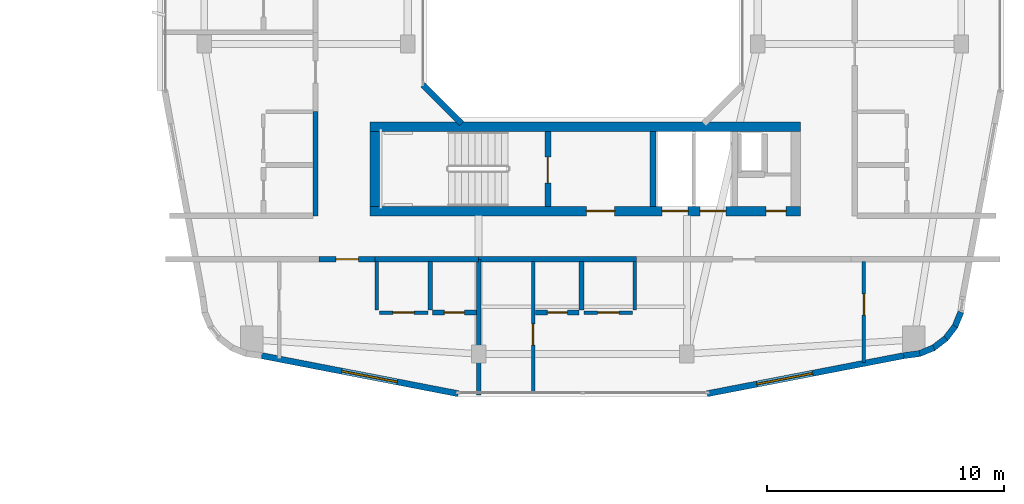
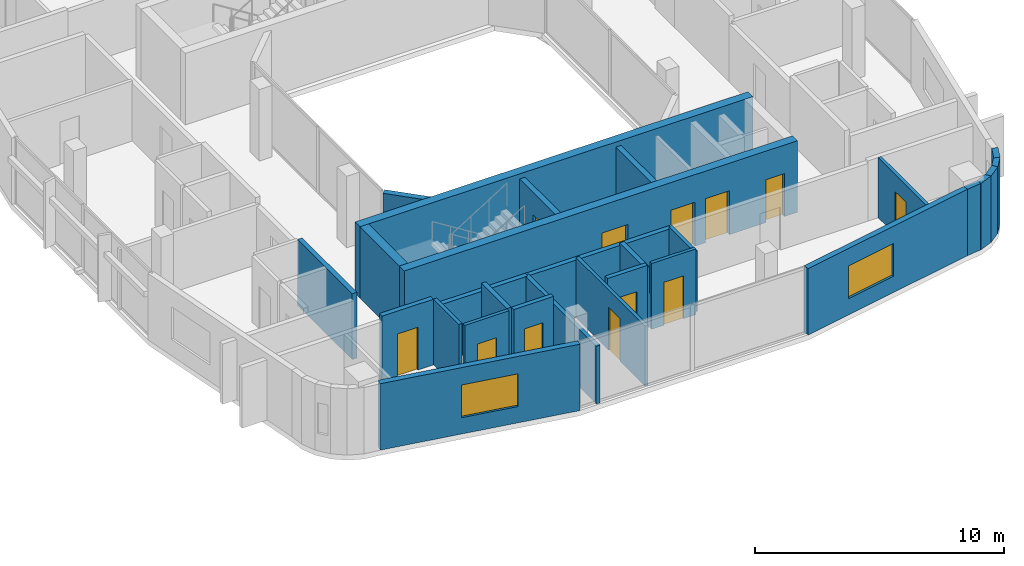
# One storey, part 17 of 26: 28 walls, 12 doors, 2 windows, 14 openings.
"""IFC4 building model written with IfcOpenShell, lengths in metres."""

import ifcopenshell
import ifcopenshell.guid

model = None  # the IFC model being written
_history = None  # IfcOwnerHistory: only IFC2X3 demands one
_inside = {}  # id of a spatial element -> (the spatial element, [elements in it])
_under = {}  # id of a project, library or spatial element -> (it, [spatial elements below it])
_declared = {}  # id of a project -> (the project, [libraries it declares])
_typed = {}  # id of a type object -> (the type object, [elements of that type])
_made_of = {}  # id of a material, layer set ... -> (it, [elements and type objects made of it])


def new_model(schema):
    """Start an empty IFC model of exactly this schema.

    Asked for "IFC4X3", IfcOpenShell would pick the latest addendum, in which some entities
    have other attributes; the version numbers below select the first issue.
    IFC2X3 requires an IfcOwnerHistory on every rooted entity: one is made here for all.
    """
    global model, _history
    if schema == "IFC4X3":
        model = ifcopenshell.file(schema_version=(4, 3, 0, 0))
    else:
        model = ifcopenshell.file(schema=schema)
    _inside.clear()
    _under.clear()
    _declared.clear()
    _typed.clear()
    _made_of.clear()
    _history = None
    if model.schema == "IFC2X3":
        org = make("IfcOrganization", Name="unknown")
        user = make(
            "IfcPersonAndOrganization",
            ThePerson=make("IfcPerson", FamilyName="unknown"),
            TheOrganization=org,
        )
        app = make(
            "IfcApplication",
            ApplicationDeveloper=org,
            Version="unknown",
            ApplicationFullName="unknown",
            ApplicationIdentifier="unknown",
        )
        _history = make(
            "IfcOwnerHistory",
            OwningUser=user,
            OwningApplication=app,
            ChangeAction="ADDED",
            CreationDate=0,
        )
    return model


def make(cls, **values):
    """One entity of the class cls with the attributes given. An attribute that is None is left unset."""
    return model.create_entity(
        cls, **{name: value for name, value in values.items() if value is not None}
    )


def rooted(cls, **values):
    """An entity with a GlobalId (a new one), such as an element, a storey or a relation."""
    return make(cls, GlobalId=ifcopenshell.guid.new(), OwnerHistory=_history, **values)


def si_unit(unit_type, name, prefix=None):
    """IfcSIUnit, for example si_unit("LENGTHUNIT", "METRE", prefix="MILLI")."""
    return make("IfcSIUnit", UnitType=unit_type, Prefix=prefix, Name=name)


def derived_unit(unit_type, elements):
    """IfcDerivedUnit: a product of units, each with its exponent."""
    return make(
        "IfcDerivedUnit",
        Elements=[
            make("IfcDerivedUnitElement", Unit=unit, Exponent=power)
            for unit, power in elements
        ],
        UnitType=unit_type,
    )


def assignment(units):
    """IfcUnitAssignment: the units of a project."""
    return None if units is None else make("IfcUnitAssignment", Units=units)


def point(xyz):
    """IfcCartesianPoint."""
    return None if xyz is None else make("IfcCartesianPoint", Coordinates=xyz)


def direction(xyz):
    """IfcDirection."""
    return None if xyz is None else make("IfcDirection", DirectionRatios=xyz)


def frame(location, z_axis=None, x_axis=None):
    """IfcAxis2Placement3D, a coordinate frame: its origin and axes. An axis left out is left unset."""
    return make(
        "IfcAxis2Placement3D",
        Location=point(location),
        Axis=direction(z_axis),
        RefDirection=direction(x_axis),
    )


def frame_2d(location, x_axis=None):
    """IfcAxis2Placement2D, a coordinate frame in the plane: its origin and x axis."""
    return make(
        "IfcAxis2Placement2D", Location=point(location), RefDirection=direction(x_axis)
    )


def origin():
    """The frame at (0, 0, 0) with its axes left unset."""
    return frame((0.0, 0.0, 0.0))


def place(relative_to, where):
    """IfcLocalPlacement: puts the frame where relative to a parent placement (None: the world)."""
    return make(
        "IfcLocalPlacement", PlacementRelTo=relative_to, RelativePlacement=where
    )


def context(
    kind, dimensions, precision=None, world=None, true_north=None, identifier=None
):
    """IfcGeometricRepresentationContext, for example the 3D "Model" context."""
    return make(
        "IfcGeometricRepresentationContext",
        ContextIdentifier=identifier,
        ContextType=kind,
        CoordinateSpaceDimension=dimensions,
        Precision=precision,
        WorldCoordinateSystem=world,
        TrueNorth=true_north,
    )


def subcontext(parent, identifier, kind, view, scale=None):
    """IfcGeometricRepresentationSubContext, for example "Body" below "Model"."""
    return make(
        "IfcGeometricRepresentationSubContext",
        ContextIdentifier=identifier,
        ContextType=kind,
        ParentContext=parent,
        TargetScale=scale,
        TargetView=view,
    )


def project(units=None, contexts=None):
    """IfcProject with its units and contexts."""
    return rooted(
        "IfcProject",
        Name="project",
        RepresentationContexts=contexts,
        UnitsInContext=assignment(units),
    )


def spatial(cls, under=None, at=None, **own):
    """A site, building, storey or space (cls), placed at a placement, below another one or the project."""
    s = rooted(cls, ObjectPlacement=at, **own)
    if under is not None:
        _under.setdefault(under.id(), (under, []))[1].append(s)
    return s


def profile(cls, at=None, kind="AREA", **sizes):
    """A parametric profile (cls). Its sizes go by their IFC names, for example OverallWidth=200.0."""
    return make(cls, ProfileType=kind, Position=at, **sizes)


def rectangle(**sizes):
    """IfcRectangleProfileDef."""
    return profile("IfcRectangleProfileDef", **sizes)


def extrude(swept, where, along, depth):
    """IfcExtrudedAreaSolid: the profile swept, set in the frame where, extruded along a direction by depth."""
    return make(
        "IfcExtrudedAreaSolid",
        SweptArea=swept,
        Position=where,
        ExtrudedDirection=direction(along),
        Depth=depth,
    )


def shape(context_of_items, identifier, shape_type, items):
    """IfcShapeRepresentation: the items that make up one representation, for example the "Body"."""
    return make(
        "IfcShapeRepresentation",
        ContextOfItems=context_of_items,
        RepresentationIdentifier=identifier,
        RepresentationType=shape_type,
        Items=items,
    )


def material(Name=None, Category=None):
    """IfcMaterial."""
    return make("IfcMaterial", Name=Name, Category=Category)


def layer(
    of_material, thickness, ventilated=None, Name=None, Category=None, Priority=None
):
    """IfcMaterialLayer: one layer of a wall or slab, of a material (None: an air gap)."""
    return make(
        "IfcMaterialLayer",
        Material=of_material,
        LayerThickness=thickness,
        IsVentilated=ventilated,
        Name=Name,
        Category=Category,
        Priority=Priority,
    )


def layer_set(layers, Name=None):
    """IfcMaterialLayerSet."""
    return make("IfcMaterialLayerSet", MaterialLayers=layers, LayerSetName=Name)


def made_of(thing, what):
    """Note that an element or type object is made of a material, layer set ...; save() writes the relation."""
    if what is not None:
        _made_of.setdefault(what.id(), (what, []))[1].append(thing)
    return thing


def type_object(cls, material=None, **own):
    """A type object (cls), such as IfcWallType, which elements share."""
    return made_of(rooted(cls, **own), material)


def element(
    cls,
    number,
    at=None,
    inside=None,
    cuts=None,
    type_object=None,
    material=None,
    context=None,
    identifier="Body",
    shape_type=None,
    held_by="IfcProductDefinitionShape",
    body=None,
    shapes=None,
    **own,
):
    """One element of the class cls, such as IfcWall. Its Tag is "e" and its number.

    at: its placement. inside: the storey or other place that contains it. cuts: it is an
    opening in that element (IfcRelVoidsElement). A single representation is given by context,
    identifier, shape_type and body (its items); several are given by shapes. held_by: the class
    of the entity that holds the representations. save() writes the other relations.
    """
    e = rooted(cls, Tag="e%d" % number, ObjectPlacement=at, **own)
    if body is not None:
        shapes = [shape(context, identifier, shape_type, body)]
    if shapes is not None:
        e.Representation = make(held_by, Representations=shapes)
    if inside is not None:
        _inside.setdefault(inside.id(), (inside, []))[1].append(e)
    if cuts is not None:
        rooted(
            "IfcRelVoidsElement", RelatingBuildingElement=cuts, RelatedOpeningElement=e
        )
    if type_object is not None:
        _typed.setdefault(type_object.id(), (type_object, []))[1].append(e)
    return made_of(e, material)


def fill(opening, filler):
    """IfcRelFillsElement: the door or window that sits in an opening."""
    return rooted(
        "IfcRelFillsElement",
        RelatingOpeningElement=opening,
        RelatedBuildingElement=filler,
    )


def aggregate(whole, parts):
    """IfcRelAggregates: a whole, such as a stair, and the parts it consists of."""
    return rooted("IfcRelAggregates", RelatingObject=whole, RelatedObjects=parts)


def save(model, path):
    """Write the relations noted so far, then the file.

    IfcRelAggregates (storeys below a building ...), IfcRelContainedInSpatialStructure (elements
    in a storey), IfcRelDefinesByType, IfcRelAssociatesMaterial and IfcRelDeclares: one each for
    every whole, place, type object, material and project.
    """
    for whole, parts in _under.values():
        aggregate(whole, parts)
    for where, things in _inside.values():
        rooted(
            "IfcRelContainedInSpatialStructure",
            RelatedElements=things,
            RelatingStructure=where,
        )
    for kind, things in _typed.values():
        rooted("IfcRelDefinesByType", RelatedObjects=things, RelatingType=kind)
    for what, things in _made_of.values():
        rooted("IfcRelAssociatesMaterial", RelatedObjects=things, RelatingMaterial=what)
    for by, libraries in _declared.values():
        rooted("IfcRelDeclares", RelatingContext=by, RelatedDefinitions=libraries)
    model.write(path)


model = new_model("IFC4")

# Units and contexts
model_context = context("Model", 3, precision=1e-05, world=origin(), true_north=direction((0.0, 1.0)))
body_context = subcontext(model_context, "Body", "Model", "MODEL_VIEW")
ifc_project = project(units=[si_unit("LENGTHUNIT", "METRE"), si_unit("AREAUNIT", "SQUARE_METRE"), si_unit("VOLUMEUNIT", "CUBIC_METRE"), si_unit("PLANEANGLEUNIT", "RADIAN"), si_unit("MASSUNIT", "GRAM", prefix="KILO"), derived_unit("THERMALTRANSMITTANCEUNIT", [(si_unit("POWERUNIT", "WATT"), 1), (si_unit("LENGTHUNIT", "METRE"), -2), (si_unit("THERMODYNAMICTEMPERATUREUNIT", "KELVIN"), -1)])], contexts=[model_context])

# Site, building, storey
site_placement = place(None, origin())
site = spatial("IfcSite", under=ifc_project, at=site_placement, CompositionType="ELEMENT")
building_placement = place(site_placement, origin())
building = spatial("IfcBuilding", under=site, at=building_placement, Name="Kivonza Crest Hotel", CompositionType="ELEMENT")
storey_placement = place(building_placement, frame((0.0, 0.0, 95.0)))
storey = spatial("IfcBuildingStorey", under=building, at=storey_placement, Name="L25", CompositionType="ELEMENT", Elevation=95.0)

# Walls
ifc_material_1 = material(Name="High-density acoustic masonry inter-tenancy wall", Category="masonry")
ifc_layer_1 = layer(ifc_material_1, 0.179931640625)
ifc_layer_set_1 = layer_set([ifc_layer_1], Name="High-density acoustic masonry inter-tenancy wall")
wall_type_1 = type_object("IfcWallType", Name="WL-ACOU-180", PredefinedType="SOLIDWALL", material=ifc_layer_set_1)
wall_1_placement = place(storey_placement, frame((72.60009765625, 6.659912109375, 0.0), z_axis=(0.0, 0.0, 1.0), x_axis=(0.0, 1.0, 0.0)))
element("IfcWall", 1, at=wall_1_placement, inside=storey, type_object=wall_type_1, Name="L25 interior partition WA-L25-T2S-DIV1", PredefinedType="SOLIDWALL", context=body_context, shape_type="SweptSolid", body=[
    extrude(rectangle(XDim=5.739990234375, YDim=0.179931640625, at=frame_2d((2.8701171875, 0.0))), origin(), (0.0, 0.0, 1.0), 2.824951171875),
])
ifc_material_2 = material(Name="Autoclaved aerated concrete blockwork", Category="masonry")
ifc_layer_2 = layer(ifc_material_2, 0.219970703125)
ifc_layer_set_2 = layer_set([ifc_layer_2], Name="Autoclaved aerated concrete blockwork")
wall_type_2 = type_object("IfcWallType", Name="WL-ACOU-220", PredefinedType="SOLIDWALL", material=ifc_layer_set_2)
wall_2_placement = place(storey_placement, frame((68.219970703125, 12.39990234375, 0.0), z_axis=(0.0, 0.0, 1.0), x_axis=(1.0, 0.0, 0.0)))
element("IfcWall", 2, at=wall_2_placement, inside=storey, type_object=wall_type_2, Name="L25 interior partition WA-L25-A03-RCORR", PredefinedType="SOLIDWALL", context=body_context, shape_type="SweptSolid", body=[
    extrude(rectangle(XDim=4.380126953125, YDim=0.219970703125, at=frame_2d((2.18994140625, 0.0))), origin(), (0.0, 0.0, 1.0), 2.824951171875),
])

# Wall, opening, door
wall_3_placement = place(storey_placement, frame((65.85009765625, 12.39990234375, 0.0), z_axis=(0.0, 0.0, 1.0), x_axis=(1.0, 0.0, 0.0)))
wall_3 = element("IfcWall", 3, at=wall_3_placement, inside=storey, type_object=wall_type_2, Name="L25 interior partition WA-L25-A03-MCORR", PredefinedType="SOLIDWALL", context=body_context, shape_type="SweptSolid", body=[
    extrude(rectangle(XDim=2.369873046875, YDim=0.219970703125, at=frame_2d((1.18505859375, 0.0))), origin(), (0.0, 0.0, 1.0), 3.219970703125),
])
opening_1_placement = place(wall_3_placement, frame((0.7099609375, 0.0, 0.0)))
opening_1 = element("IfcOpeningElement", 4, at=opening_1_placement, cuts=wall_3, Name="Opening DU-60", PredefinedType="OPENING", context=body_context, shape_type="SweptSolid", body=[
    extrude(rectangle(XDim=0.949951171875, YDim=2.10009765625, at=frame_2d((0.47509765625, 1.050048828125))), frame((0.0, 0.1201171875, 0.0), z_axis=(0.0, -1.0, 0.0), x_axis=(1.0, 0.0, 0.0)), (0.0, 0.0, 1.0), 0.239990234375),
])
ifc_material_3 = material(Name="Hardwood timber oak", Category="wood")
door_type_1 = type_object("IfcDoorType", Name="DR-UNIT-950", OperationType="NOTDEFINED", PredefinedType="DOOR", material=ifc_material_3)
door_1_placement = place(opening_1_placement, frame((0.949951171875, 0.0, 0.0), z_axis=(0.0, 0.0, 1.0), x_axis=(-1.0, 0.0, 0.0)))
door_1 = element("IfcDoor", 5, at=door_1_placement, inside=storey, type_object=door_type_1, Name="L25 A03 apartment entrance fire door", OperationType="SINGLE_SWING_LEFT", OverallHeight=2.10009765625, OverallWidth=0.949951171875, PredefinedType="DOOR", context=body_context, shape_type="SweptSolid", body=[
    extrude(rectangle(XDim=0.949951171875, YDim=2.10009765625, at=frame_2d((0.47509765625, 1.050048828125))), frame((0.0, 0.02490234375, 0.0), z_axis=(0.0, -1.0, 0.0), x_axis=(1.0, 0.0, 0.0)), (0.0, 0.0, 1.0), 0.050048828125),
])
fill(opening_1, door_1)

# Walls
wall_4_placement = place(storey_placement, frame((72.60009765625, 12.39990234375, 0.0), z_axis=(0.0, 0.0, 1.0), x_axis=(1.0, 0.0, 0.0)))
element("IfcWall", 6, at=wall_4_placement, inside=storey, type_object=wall_type_2, Name="L25 interior partition WA-L25-A04-LCORR", PredefinedType="SOLIDWALL", context=body_context, shape_type="SweptSolid", body=[
    extrude(rectangle(XDim=6.679931640625, YDim=0.219970703125, at=frame_2d((3.33984375, 0.0))), origin(), (0.0, 0.0, 1.0), 2.824951171875),
])
wall_5_placement = place(storey_placement, frame((65.699951171875, 14.239990234375, 0.0), z_axis=(0.0, 0.0, 1.0), x_axis=(0.0, 1.0, 0.0)))
element("IfcWall", 7, at=wall_5_placement, inside=storey, type_object=wall_type_2, Name="L25 interior partition WA-L25-A05-BCORR", PredefinedType="SOLIDWALL", context=body_context, shape_type="SweptSolid", body=[
    extrude(rectangle(XDim=4.39990234375, YDim=0.219970703125, at=frame_2d((2.199951171875, 0.0))), origin(), (0.0, 0.0, 1.0), 3.219970703125),
])

# Wall, openings, doors
ifc_material_4 = material(Name="Concrete C50/60", Category="concrete")
ifc_layer_3 = layer(ifc_material_4, 0.39990234375)
ifc_layer_set_3 = layer_set([ifc_layer_3], Name="Concrete C50/60")
wall_type_3 = type_object("IfcWallType", Name="WL-CORE-400", PredefinedType="SHEAR", material=ifc_layer_set_3)
wall_6_placement = place(storey_placement, frame((68.0, 14.43994140625, 0.0), z_axis=(0.0, 0.0, 1.0), x_axis=(1.0, 0.0, 0.0)))
wall_6 = element("IfcWall", 8, at=wall_6_placement, inside=storey, type_object=wall_type_3, Name="Core wall T2-S South L25", PredefinedType="SHEAR", context=body_context, shape_type="SweptSolid", body=[
    extrude(rectangle(XDim=18.199951171875, YDim=0.39990234375, at=frame_2d((9.10009765625, 0.0))), origin(), (0.0, 0.0, 1.0), 3.5),
])
opening_2_placement = place(wall_6_placement, frame((9.14990234375, 0.0, 0.0)))
opening_2 = element("IfcOpeningElement", 9, at=opening_2_placement, cuts=wall_6, Name="Opening DF-60", PredefinedType="OPENING", context=body_context, shape_type="SweptSolid", body=[
    extrude(rectangle(XDim=1.199951171875, YDim=2.14990234375, at=frame_2d((0.60009765625, 1.074951171875))), frame((0.0, 0.2099609375, 0.0), z_axis=(0.0, -1.0, 0.0), x_axis=(1.0, 0.0, 0.0)), (0.0, 0.0, 1.0), 0.419921875),
])
opening_3_placement = place(wall_6_placement, frame((16.75, 0.0, 0.0)))
opening_3 = element("IfcOpeningElement", 10, at=opening_3_placement, cuts=wall_6, Name="Opening DF-60R", PredefinedType="OPENING", context=body_context, shape_type="SweptSolid", body=[
    extrude(rectangle(XDim=0.85009765625, YDim=2.10009765625, at=frame_2d((0.425048828125, 1.050048828125))), frame((0.0, 0.2099609375, 0.0), z_axis=(0.0, -1.0, 0.0), x_axis=(1.0, 0.0, 0.0)), (0.0, 0.0, 1.0), 0.419921875),
])
opening_4_placement = place(wall_6_placement, frame((12.35009765625, 0.0, 0.0)))
opening_4 = element("IfcOpeningElement", 11, at=opening_4_placement, cuts=wall_6, Name="Opening LD-120", PredefinedType="OPENING", context=body_context, shape_type="SweptSolid", body=[
    extrude(rectangle(XDim=1.10009765625, YDim=2.14990234375, at=frame_2d((0.550048828125, 1.074951171875))), frame((0.0, 0.2099609375, 0.0), z_axis=(0.0, -1.0, 0.0), x_axis=(1.0, 0.0, 0.0)), (0.0, 0.0, 1.0), 0.419921875),
])
opening_5_placement = place(wall_6_placement, frame((13.949951171875, 0.0, 0.0)))
opening_5 = element("IfcOpeningElement", 12, at=opening_5_placement, cuts=wall_6, Name="Opening LD-120", PredefinedType="OPENING", context=body_context, shape_type="SweptSolid", body=[
    extrude(rectangle(XDim=1.10009765625, YDim=2.14990234375, at=frame_2d((0.550048828125, 1.074951171875))), frame((0.0, 0.2099609375, 0.0), z_axis=(0.0, -1.0, 0.0), x_axis=(1.0, 0.0, 0.0)), (0.0, 0.0, 1.0), 0.419921875),
])
door_type_2 = type_object("IfcDoorType", Name="DR-FD60-1200", OperationType="NOTDEFINED", PredefinedType="DOOR", material=ifc_material_3)
door_2_placement = place(opening_2_placement, frame((1.199951171875, 0.0, 0.0), z_axis=(0.0, 0.0, 1.0), x_axis=(-1.0, 0.0, 0.0)))
door_2 = element("IfcDoor", 13, at=door_2_placement, inside=storey, type_object=door_type_2, Name="L25 T2-S firefighting lobby fire door", OperationType="SINGLE_SWING_LEFT", OverallHeight=2.14990234375, OverallWidth=1.199951171875, PredefinedType="DOOR", context=body_context, shape_type="SweptSolid", body=[
    extrude(rectangle(XDim=1.199951171875, YDim=2.14990234375, at=frame_2d((0.60009765625, 1.074951171875))), frame((0.0, 0.02490234375, 0.0), z_axis=(0.0, -1.0, 0.0), x_axis=(1.0, 0.0, 0.0)), (0.0, 0.0, 1.0), 0.050048828125),
])
fill(opening_2, door_2)
door_type_3 = type_object("IfcDoorType", Name="DR-FD60-850", OperationType="NOTDEFINED", PredefinedType="DOOR", material=ifc_material_3)
door_3_placement = place(opening_3_placement, frame((0.85009765625, 0.0, 0.0), z_axis=(0.0, 0.0, 1.0), x_axis=(-1.0, 0.0, 0.0)))
door_3 = element("IfcDoor", 14, at=door_3_placement, inside=storey, type_object=door_type_3, Name="L25 T2-S core room door", OperationType="SINGLE_SWING_RIGHT", OverallHeight=2.10009765625, OverallWidth=0.85009765625, PredefinedType="DOOR", context=body_context, shape_type="SweptSolid", body=[
    extrude(rectangle(XDim=0.85009765625, YDim=2.10009765625, at=frame_2d((0.425048828125, 1.050048828125))), frame((0.0, 0.02490234375, 0.0), z_axis=(0.0, -1.0, 0.0), x_axis=(1.0, 0.0, 0.0)), (0.0, 0.0, 1.0), 0.050048828125),
])
fill(opening_3, door_3)
ifc_material_5 = material(Name="Stainless steel", Category="steel")
door_type_4 = type_object("IfcDoorType", Name="DR-LD120-1100", OperationType="NOTDEFINED", PredefinedType="DOOR", material=ifc_material_5)
door_4_placement = place(opening_4_placement, frame((1.10009765625, 0.0, 0.0), z_axis=(0.0, 0.0, 1.0), x_axis=(-1.0, 0.0, 0.0)))
door_4 = element("IfcDoor", 15, at=door_4_placement, inside=storey, type_object=door_type_4, Name="L25 PL-T2-1 passenger lift sliding landing door", OperationType="DOUBLE_DOOR_SLIDING", OverallHeight=2.14990234375, OverallWidth=1.10009765625, PredefinedType="DOOR", context=body_context, shape_type="SweptSolid", body=[
    extrude(rectangle(XDim=1.10009765625, YDim=2.14990234375, at=frame_2d((0.550048828125, 1.074951171875))), frame((0.0, 0.02490234375, 0.0), z_axis=(0.0, -1.0, 0.0), x_axis=(1.0, 0.0, 0.0)), (0.0, 0.0, 1.0), 0.050048828125),
])
fill(opening_4, door_4)
door_5_placement = place(opening_5_placement, frame((1.10009765625, 0.0, 0.0), z_axis=(0.0, 0.0, 1.0), x_axis=(-1.0, 0.0, 0.0)))
door_5 = element("IfcDoor", 16, at=door_5_placement, inside=storey, type_object=door_type_4, Name="L25 PL-T2-2 passenger lift sliding landing door", OperationType="DOUBLE_DOOR_SLIDING", OverallHeight=2.14990234375, OverallWidth=1.10009765625, PredefinedType="DOOR", context=body_context, shape_type="SweptSolid", body=[
    extrude(rectangle(XDim=1.10009765625, YDim=2.14990234375, at=frame_2d((0.550048828125, 1.074951171875))), frame((0.0, 0.02490234375, 0.0), z_axis=(0.0, -1.0, 0.0), x_axis=(1.0, 0.0, 0.0)), (0.0, 0.0, 1.0), 0.050048828125),
])
fill(opening_5, door_5)

# Walls
wall_7_placement = place(storey_placement, frame((68.0, 18.0, 0.0), z_axis=(0.0, 0.0, 1.0), x_axis=(1.0, 0.0, 0.0)))
element("IfcWall", 17, at=wall_7_placement, inside=storey, type_object=wall_type_3, Name="Core wall T2-S North L25", PredefinedType="SHEAR", context=body_context, shape_type="SweptSolid", body=[
    extrude(rectangle(XDim=18.199951171875, YDim=0.39990234375, at=frame_2d((9.10009765625, 0.0))), origin(), (0.0, 0.0, 1.0), 3.5),
])
wall_8_placement = place(storey_placement, frame((68.199951171875, 14.639892578125, 0.0), z_axis=(0.0, 0.0, 1.0), x_axis=(0.0, 1.0, 0.0)))
element("IfcWall", 18, at=wall_8_placement, inside=storey, type_object=wall_type_3, Name="Core wall T2-S West L25", PredefinedType="SHEAR", context=body_context, shape_type="SweptSolid", body=[
    extrude(rectangle(XDim=3.16015625, YDim=0.39990234375, at=frame_2d((1.580078125, 0.0))), origin(), (0.0, 0.0, 1.0), 3.5),
])

# Wall, opening, window
ifc_material_6 = material(Name="Precast concrete C40/50", Category="concrete")
ifc_layer_4 = layer(ifc_material_6, 0.260009765625)
ifc_layer_set_4 = layer_set([ifc_layer_4], Name="Precast concrete C40/50")
wall_type_4 = type_object("IfcWallType", Name="WL-EXT-260", PredefinedType="STANDARD", material=ifc_layer_set_4)
wall_9_placement = place(storey_placement, frame((63.4169921875, 8.330078125, 0.0), z_axis=(0.0, 0.0, 1.0), x_axis=(0.981750199588, -0.190175039396, 0.0)))
wall_9 = element("IfcWall", 19, at=wall_9_placement, inside=storey, type_object=wall_type_4, Name="L25 T2 exterior insulated wall 7", PredefinedType="STANDARD", context=body_context, shape_type="SweptSolid", body=[
    extrude(rectangle(XDim=8.476806640625, YDim=0.260009765625, at=frame_2d((4.23828125, 0.0))), origin(), (0.0, 0.0, 1.0), 3.25),
])
opening_6_placement = place(wall_9_placement, frame((3.4541015625, 0.0, 0.800048828125)))
opening_6 = element("IfcOpeningElement", 20, at=opening_6_placement, cuts=wall_9, Name="Opening WN-05", PredefinedType="OPENING", context=body_context, shape_type="SweptSolid", body=[
    extrude(rectangle(XDim=2.39990234375, YDim=1.60009765625, at=frame_2d((1.199951171875, 0.800048828125))), frame((0.0, 0.14013671875, 0.0), z_axis=(0.0, -1.0, 0.0), x_axis=(1.0, 0.0, 0.0)), (0.0, 0.0, 1.0), 0.280029296875),
])
ifc_material_7 = material(Name="Thermally broken bronze aluminium and low-E double glazing", Category="aluminium")
window_type = type_object("IfcWindowType", Name="WN-240x160", PartitioningType="TRIPLE_PANEL_VERTICAL", PredefinedType="WINDOW", material=ifc_material_7)
window_1_placement = place(opening_6_placement, origin())
window_1 = element("IfcWindow", 21, at=window_1_placement, inside=storey, type_object=window_type, Name="L25 T2 facade window 7", OverallHeight=1.60009765625, OverallWidth=2.39990234375, PartitioningType="SINGLE_PANEL", PredefinedType="WINDOW", context=body_context, shape_type="SweptSolid", body=[
    extrude(rectangle(XDim=2.39990234375, YDim=1.60009765625, at=frame_2d((1.199951171875, 0.800048828125))), frame((0.0, 0.030029296875, 0.0), z_axis=(0.0, -1.0, 0.0), x_axis=(1.0, 0.0, 0.0)), (0.0, 0.0, 1.0), 0.06005859375),
])
fill(opening_6, window_1)

wall_10_placement = place(storey_placement, frame((82.260986328125, 6.718017578125, 0.0), z_axis=(0.0, 0.0, 1.0), x_axis=(0.981750199588, 0.190175039396, 0.0)))
wall_10 = element("IfcWall", 22, at=wall_10_placement, inside=storey, type_object=wall_type_4, Name="L25 T2 exterior insulated wall 9", PredefinedType="STANDARD", context=body_context, shape_type="SweptSolid", body=[
    extrude(rectangle(XDim=8.476806640625, YDim=0.260009765625, at=frame_2d((4.23828125, 0.0))), origin(), (0.0, 0.0, 1.0), 3.25),
])
opening_7_placement = place(wall_10_placement, frame((2.138916015625, 0.0, 0.800048828125)))
opening_7 = element("IfcOpeningElement", 23, at=opening_7_placement, cuts=wall_10, Name="Opening WN-05", PredefinedType="OPENING", context=body_context, shape_type="SweptSolid", body=[
    extrude(rectangle(XDim=2.39990234375, YDim=1.60009765625, at=frame_2d((1.199951171875, 0.800048828125))), frame((0.0, 0.14013671875, 0.0), z_axis=(0.0, -1.0, 0.0), x_axis=(1.0, 0.0, 0.0)), (0.0, 0.0, 1.0), 0.280029296875),
])
window_2_placement = place(opening_7_placement, origin())
window_2 = element("IfcWindow", 24, at=window_2_placement, inside=storey, type_object=window_type, Name="L25 T2 facade window 9", OverallHeight=1.60009765625, OverallWidth=2.39990234375, PartitioningType="SINGLE_PANEL", PredefinedType="WINDOW", context=body_context, shape_type="SweptSolid", body=[
    extrude(rectangle(XDim=2.39990234375, YDim=1.60009765625, at=frame_2d((1.199951171875, 0.800048828125))), frame((0.0, 0.030029296875, 0.0), z_axis=(0.0, -1.0, 0.0), x_axis=(1.0, 0.0, 0.0)), (0.0, 0.0, 1.0), 0.06005859375),
])
fill(opening_7, window_2)

# Walls
wall_11_placement = place(storey_placement, frame((90.574951171875, 8.327880859375, 0.0), z_axis=(0.0, 0.0, 1.0), x_axis=(0.991300187529, 0.13162043232, 0.0)))
element("IfcWall", 25, at=wall_11_placement, inside=storey, type_object=wall_type_4, Name="L25 T2 exterior insulated wall 10", PredefinedType="STANDARD", context=body_context, shape_type="SweptSolid", body=[
    extrude(rectangle(XDim=0.677001953125, YDim=0.260009765625, at=frame_2d((0.33837890625, 0.0))), origin(), (0.0, 0.0, 1.0), 3.25),
])
for number, where, z_axis, x_axis, name in (
    (26, (91.199951171875, 8.39892578125, 0.0), (0.0, 0.0, 1.0), (0.924093981904, 0.382165294877, 0.0), "L25 T2 exterior insulated wall 11"),
    (27, (91.801025390625, 8.635986328125, 0.0), (0.0, 0.0, 1.0), (0.792637067512, 0.609693758543, 0.0), "L25 T2 exterior insulated wall 12"),
    (28, (92.320068359375, 9.02099609375, 0.0), (0.0, 0.0, 1.0), (0.609472651958, 0.792807092876, 0.0), "L25 T2 exterior insulated wall 13"),
):
    element("IfcWall", number, at=place(storey_placement, frame(where, z_axis=z_axis, x_axis=x_axis)), inside=storey, type_object=wall_type_4, Name=name, PredefinedType="STANDARD", context=body_context, shape_type="SweptSolid", body=[
        extrude(rectangle(XDim=0.69384765625, YDim=0.260009765625, at=frame_2d((0.346923828125, 0.0))), origin(), (0.0, 0.0, 1.0), 3.25),
    ])
wall_12_placement = place(storey_placement, frame((92.721923828125, 9.527099609375, 0.0), z_axis=(0.0, 0.0, 1.0), x_axis=(0.382289608286, 0.924042561464, 0.0)))
element("IfcWall", 29, at=wall_12_placement, inside=storey, type_object=wall_type_4, Name="L25 T2 exterior insulated wall 14", PredefinedType="STANDARD", context=body_context, shape_type="SweptSolid", body=[
    extrude(rectangle(XDim=0.693603515625, YDim=0.260009765625, at=frame_2d((0.3466796875, 0.0))), origin(), (0.0, 0.0, 1.0), 3.25),
])
wall_13_placement = place(storey_placement, frame((70.243896484375, 19.77197265625, 0.0), z_axis=(0.0, 0.0, 1.0), x_axis=(0.707106781187, -0.707106781187, 0.0)))
element("IfcWall", 30, at=wall_13_placement, inside=storey, type_object=wall_type_4, Name="L25 T2 light-well exterior wall 8", PredefinedType="STANDARD", context=body_context, shape_type="SweptSolid", body=[
    extrude(rectangle(XDim=2.310791015625, YDim=0.260009765625, at=frame_2d((1.1552734375, 0.0))), origin(), (0.0, 0.0, 1.0), 3.25),
])
ifc_material_8 = material(Name="Twin-stud acoustic gypsum board partition", Category="gypsum")
ifc_layer_5 = layer(ifc_material_8, 0.14990234375)
ifc_layer_set_5 = layer_set([ifc_layer_5], Name="Twin-stud acoustic gypsum board partition")
wall_type_5 = type_object("IfcWallType", Name="WL-PART-150", PredefinedType="PARTITIONING", material=ifc_layer_set_5)
wall_14_placement = place(storey_placement, frame((68.300048828125, 10.25, 0.0), z_axis=(0.0, 0.0, 1.0), x_axis=(0.0, 1.0, 0.0)))
element("IfcWall", 31, at=wall_14_placement, inside=storey, type_object=wall_type_5, Name="L25 interior partition WP-L25-A03-KF", PredefinedType="PARTITIONING", context=body_context, shape_type="SweptSolid", body=[
    extrude(rectangle(XDim=2.050048828125, YDim=0.14990234375, at=frame_2d((1.02490234375, 0.0))), origin(), (0.0, 0.0, 1.0), 3.219970703125),
])

# Wall, opening, door
wall_15_placement = place(storey_placement, frame((68.39990234375, 10.14990234375, 0.0), z_axis=(0.0, 0.0, 1.0), x_axis=(1.0, 0.0, 0.0)))
wall_15 = element("IfcWall", 32, at=wall_15_placement, inside=storey, type_object=wall_type_5, Name="L25 interior partition WP-L25-A03-KSVC", PredefinedType="PARTITIONING", context=body_context, shape_type="SweptSolid", body=[
    extrude(rectangle(XDim=2.050048828125, YDim=0.14990234375, at=frame_2d((1.02490234375, 0.0))), origin(), (0.0, 0.0, 1.0), 3.219970703125),
])
opening_8_placement = place(wall_15_placement, frame((0.574951171875, 0.0, 0.0)))
opening_8 = element("IfcOpeningElement", 33, at=opening_8_placement, cuts=wall_15, Name="Opening DI-90", PredefinedType="OPENING", context=body_context, shape_type="SweptSolid", body=[
    extrude(rectangle(XDim=0.89990234375, YDim=2.10009765625, at=frame_2d((0.449951171875, 1.050048828125))), frame((0.0, 0.0849609375, 0.0), z_axis=(0.0, -1.0, 0.0), x_axis=(1.0, 0.0, 0.0)), (0.0, 0.0, 1.0), 0.169921875),
])
door_type_5 = type_object("IfcDoorType", Name="DR-INT-900", OperationType="NOTDEFINED", PredefinedType="DOOR", material=ifc_material_3)
door_6_placement = place(opening_8_placement, frame((0.89990234375, 0.0, 0.0), z_axis=(0.0, 0.0, 1.0), x_axis=(-1.0, 0.0, 0.0)))
door_6 = element("IfcDoor", 34, at=door_6_placement, inside=storey, type_object=door_type_5, Name="L25 A03 apartment kitchen door", OperationType="SINGLE_SWING_LEFT", OverallHeight=2.10009765625, OverallWidth=0.89990234375, PredefinedType="DOOR", context=body_context, shape_type="SweptSolid", body=[
    extrude(rectangle(XDim=0.89990234375, YDim=2.10009765625, at=frame_2d((0.449951171875, 1.050048828125))), frame((0.0, 0.02490234375, 0.0), z_axis=(0.0, -1.0, 0.0), x_axis=(1.0, 0.0, 0.0)), (0.0, 0.0, 1.0), 0.050048828125),
])
fill(opening_8, door_6)

wall_16_placement = place(storey_placement, frame((74.89990234375, 6.760009765625, 0.0), z_axis=(0.0, 0.0, 1.0), x_axis=(0.0, 1.0, 0.0)))
wall_16 = element("IfcWall", 35, at=wall_16_placement, inside=storey, type_object=wall_type_5, Name="L25 interior partition WP-L25-A04-BDW1", PredefinedType="PARTITIONING", context=body_context, shape_type="SweptSolid", body=[
    extrude(rectangle(XDim=5.5400390625, YDim=0.14990234375, at=frame_2d((2.77001953125, 0.0))), origin(), (0.0, 0.0, 1.0), 2.945068359375),
])
opening_9_placement = place(wall_16_placement, frame((2.010009765625, 0.0, 0.0)))
opening_9 = element("IfcOpeningElement", 36, at=opening_9_placement, cuts=wall_16, Name="Opening DI-90", PredefinedType="OPENING", context=body_context, shape_type="SweptSolid", body=[
    extrude(rectangle(XDim=0.89990234375, YDim=2.10009765625, at=frame_2d((0.449951171875, 1.050048828125))), frame((0.0, 0.0849609375, 0.0), z_axis=(0.0, -1.0, 0.0), x_axis=(1.0, 0.0, 0.0)), (0.0, 0.0, 1.0), 0.169921875),
])
door_7_placement = place(opening_9_placement, origin())
door_7 = element("IfcDoor", 37, at=door_7_placement, inside=storey, type_object=door_type_5, Name="L25 A04 bedroom 1 door", OperationType="SINGLE_SWING_LEFT", OverallHeight=2.10009765625, OverallWidth=0.89990234375, PredefinedType="DOOR", context=body_context, shape_type="SweptSolid", body=[
    extrude(rectangle(XDim=0.89990234375, YDim=2.10009765625, at=frame_2d((0.449951171875, 1.050048828125))), frame((0.0, 0.02490234375, 0.0), z_axis=(0.0, -1.0, 0.0), x_axis=(1.0, 0.0, 0.0)), (0.0, 0.0, 1.0), 0.050048828125),
])
fill(opening_9, door_7)

wall_17_placement = place(storey_placement, frame((88.889892578125, 8.030029296875, 0.0), z_axis=(0.0, 0.0, 1.0), x_axis=(0.0, 1.0, 0.0)))
wall_17 = element("IfcWall", 38, at=wall_17_placement, inside=storey, type_object=wall_type_5, Name="L25 interior partition WP-L25-A04-BDW2", PredefinedType="PARTITIONING", context=body_context, shape_type="SweptSolid", body=[
    extrude(rectangle(XDim=4.27001953125, YDim=0.14990234375, at=frame_2d((2.135009765625, 0.0))), origin(), (0.0, 0.0, 1.0), 2.945068359375),
])
opening_10_placement = place(wall_17_placement, frame((2.010009765625, 0.0, 0.0)))
opening_10 = element("IfcOpeningElement", 39, at=opening_10_placement, cuts=wall_17, Name="Opening DI-90", PredefinedType="OPENING", context=body_context, shape_type="SweptSolid", body=[
    extrude(rectangle(XDim=0.89990234375, YDim=2.10009765625, at=frame_2d((0.449951171875, 1.050048828125))), frame((0.0, 0.0849609375, 0.0), z_axis=(0.0, -1.0, 0.0), x_axis=(1.0, 0.0, 0.0)), (0.0, 0.0, 1.0), 0.169921875),
])
door_8_placement = place(opening_10_placement, origin())
door_8 = element("IfcDoor", 40, at=door_8_placement, inside=storey, type_object=door_type_5, Name="L25 A04 bedroom 2 door", OperationType="SINGLE_SWING_RIGHT", OverallHeight=2.10009765625, OverallWidth=0.89990234375, PredefinedType="DOOR", context=body_context, shape_type="SweptSolid", body=[
    extrude(rectangle(XDim=0.89990234375, YDim=2.10009765625, at=frame_2d((0.449951171875, 1.050048828125))), frame((0.0, 0.02490234375, 0.0), z_axis=(0.0, -1.0, 0.0), x_axis=(1.0, 0.0, 0.0)), (0.0, 0.0, 1.0), 0.050048828125),
])
fill(opening_10, door_8)

# Wall
wall_18_placement = place(storey_placement, frame((79.199951171875, 10.25, 0.0), z_axis=(0.0, 0.0, 1.0), x_axis=(0.0, 1.0, 0.0)))
element("IfcWall", 41, at=wall_18_placement, inside=storey, type_object=wall_type_5, Name="L25 interior partition WP-L25-A04-KF", PredefinedType="PARTITIONING", context=body_context, shape_type="SweptSolid", body=[
    extrude(rectangle(XDim=2.050048828125, YDim=0.14990234375, at=frame_2d((1.02490234375, 0.0))), origin(), (0.0, 0.0, 1.0), 2.955078125),
])

# Wall, opening, door
wall_19_placement = place(storey_placement, frame((77.050048828125, 10.14990234375, 0.0), z_axis=(0.0, 0.0, 1.0), x_axis=(1.0, 0.0, 0.0)))
wall_19 = element("IfcWall", 42, at=wall_19_placement, inside=storey, type_object=wall_type_5, Name="L25 interior partition WP-L25-A04-KSVC", PredefinedType="PARTITIONING", context=body_context, shape_type="SweptSolid", body=[
    extrude(rectangle(XDim=2.050048828125, YDim=0.14990234375, at=frame_2d((1.02490234375, 0.0))), origin(), (0.0, 0.0, 1.0), 3.219970703125),
])
opening_11_placement = place(wall_19_placement, frame((0.574951171875, 0.0, 0.0)))
opening_11 = element("IfcOpeningElement", 43, at=opening_11_placement, cuts=wall_19, Name="Opening DI-90", PredefinedType="OPENING", context=body_context, shape_type="SweptSolid", body=[
    extrude(rectangle(XDim=0.89990234375, YDim=2.10009765625, at=frame_2d((0.449951171875, 1.050048828125))), frame((0.0, 0.0849609375, 0.0), z_axis=(0.0, -1.0, 0.0), x_axis=(1.0, 0.0, 0.0)), (0.0, 0.0, 1.0), 0.169921875),
])
door_9_placement = place(opening_11_placement, frame((0.89990234375, 0.0, 0.0), z_axis=(0.0, 0.0, 1.0), x_axis=(-1.0, 0.0, 0.0)))
door_9 = element("IfcDoor", 44, at=door_9_placement, inside=storey, type_object=door_type_5, Name="L25 A04 apartment kitchen door", OperationType="SINGLE_SWING_RIGHT", OverallHeight=2.10009765625, OverallWidth=0.89990234375, PredefinedType="DOOR", context=body_context, shape_type="SweptSolid", body=[
    extrude(rectangle(XDim=0.89990234375, YDim=2.10009765625, at=frame_2d((0.449951171875, 1.050048828125))), frame((0.0, 0.02490234375, 0.0), z_axis=(0.0, -1.0, 0.0), x_axis=(1.0, 0.0, 0.0)), (0.0, 0.0, 1.0), 0.050048828125),
])
fill(opening_11, door_9)

# Wall
ifc_material_9 = material(Name="Moisture-resistant plumbing chase partition wall", Category="gypsum")
ifc_layer_6 = layer(ifc_material_9, 0.199951171875)
ifc_layer_set_6 = layer_set([ifc_layer_6], Name="Moisture-resistant plumbing chase partition wall")
wall_type_6 = type_object("IfcWallType", Name="WL-PLUMB-200", PredefinedType="PLUMBINGWALL", material=ifc_layer_set_6)
wall_20_placement = place(storey_placement, frame((70.550048828125, 10.25, 0.0), z_axis=(0.0, 0.0, 1.0), x_axis=(0.0, 1.0, 0.0)))
element("IfcWall", 45, at=wall_20_placement, inside=storey, type_object=wall_type_6, Name="L25 interior partition WW-L25-A03-BK", PredefinedType="PLUMBINGWALL", context=body_context, shape_type="SweptSolid", body=[
    extrude(rectangle(XDim=2.050048828125, YDim=0.199951171875, at=frame_2d((1.02490234375, 0.0))), origin(), (0.0, 0.0, 1.0), 3.219970703125),
])

# Wall, opening, door
wall_21_placement = place(storey_placement, frame((70.64990234375, 10.14990234375, 0.0), z_axis=(0.0, 0.0, 1.0), x_axis=(1.0, 0.0, 0.0)))
wall_21 = element("IfcWall", 46, at=wall_21_placement, inside=storey, type_object=wall_type_6, Name="L25 interior partition WW-L25-A03-BSVC", PredefinedType="PLUMBINGWALL", context=body_context, shape_type="SweptSolid", body=[
    extrude(rectangle(XDim=1.85009765625, YDim=0.199951171875, at=frame_2d((0.925048828125, 0.0))), origin(), (0.0, 0.0, 1.0), 3.219970703125),
])
opening_12_placement = place(wall_21_placement, frame((0.5, 0.0, 0.0)))
opening_12 = element("IfcOpeningElement", 47, at=opening_12_placement, cuts=wall_21, Name="Opening DI-85", PredefinedType="OPENING", context=body_context, shape_type="SweptSolid", body=[
    extrude(rectangle(XDim=0.85009765625, YDim=2.10009765625, at=frame_2d((0.425048828125, 1.050048828125))), frame((0.0, 0.10986328125, 0.0), z_axis=(0.0, -1.0, 0.0), x_axis=(1.0, 0.0, 0.0)), (0.0, 0.0, 1.0), 0.219970703125),
])
door_type_6 = type_object("IfcDoorType", Name="DR-INT-850", OperationType="NOTDEFINED", PredefinedType="DOOR", material=ifc_material_3)
door_10_placement = place(opening_12_placement, frame((0.85009765625, 0.0, 0.0), z_axis=(0.0, 0.0, 1.0), x_axis=(-1.0, 0.0, 0.0)))
door_10 = element("IfcDoor", 48, at=door_10_placement, inside=storey, type_object=door_type_6, Name="L25 A03 apartment bathroom door", OperationType="SINGLE_SWING_RIGHT", OverallHeight=2.10009765625, OverallWidth=0.85009765625, PredefinedType="DOOR", context=body_context, shape_type="SweptSolid", body=[
    extrude(rectangle(XDim=0.85009765625, YDim=2.10009765625, at=frame_2d((0.425048828125, 1.050048828125))), frame((0.0, 0.02490234375, 0.0), z_axis=(0.0, -1.0, 0.0), x_axis=(1.0, 0.0, 0.0)), (0.0, 0.0, 1.0), 0.050048828125),
])
fill(opening_12, door_10)

# Wall
wall_22_placement = place(storey_placement, frame((76.949951171875, 10.25, 0.0), z_axis=(0.0, 0.0, 1.0), x_axis=(0.0, 1.0, 0.0)))
element("IfcWall", 49, at=wall_22_placement, inside=storey, type_object=wall_type_6, Name="L25 interior partition WW-L25-A04-BK", PredefinedType="PLUMBINGWALL", context=body_context, shape_type="SweptSolid", body=[
    extrude(rectangle(XDim=2.050048828125, YDim=0.199951171875, at=frame_2d((1.02490234375, 0.0))), origin(), (0.0, 0.0, 1.0), 2.955078125),
])

# Wall, opening, door
wall_23_placement = place(storey_placement, frame((75.0, 10.14990234375, 0.0), z_axis=(0.0, 0.0, 1.0), x_axis=(1.0, 0.0, 0.0)))
wall_23 = element("IfcWall", 50, at=wall_23_placement, inside=storey, type_object=wall_type_6, Name="L25 interior partition WW-L25-A04-BSVC", PredefinedType="PLUMBINGWALL", context=body_context, shape_type="SweptSolid", body=[
    extrude(rectangle(XDim=1.85009765625, YDim=0.199951171875, at=frame_2d((0.925048828125, 0.0))), origin(), (0.0, 0.0, 1.0), 3.219970703125),
])
opening_13_placement = place(wall_23_placement, frame((0.5, 0.0, 0.0)))
opening_13 = element("IfcOpeningElement", 51, at=opening_13_placement, cuts=wall_23, Name="Opening DI-85", PredefinedType="OPENING", context=body_context, shape_type="SweptSolid", body=[
    extrude(rectangle(XDim=0.85009765625, YDim=2.10009765625, at=frame_2d((0.425048828125, 1.050048828125))), frame((0.0, 0.10986328125, 0.0), z_axis=(0.0, -1.0, 0.0), x_axis=(1.0, 0.0, 0.0)), (0.0, 0.0, 1.0), 0.219970703125),
])
door_11_placement = place(opening_13_placement, frame((0.85009765625, 0.0, 0.0), z_axis=(0.0, 0.0, 1.0), x_axis=(-1.0, 0.0, 0.0)))
door_11 = element("IfcDoor", 52, at=door_11_placement, inside=storey, type_object=door_type_6, Name="L25 A04 apartment bathroom door", OperationType="SINGLE_SWING_LEFT", OverallHeight=2.10009765625, OverallWidth=0.85009765625, PredefinedType="DOOR", context=body_context, shape_type="SweptSolid", body=[
    extrude(rectangle(XDim=0.85009765625, YDim=2.10009765625, at=frame_2d((0.425048828125, 1.050048828125))), frame((0.0, 0.02490234375, 0.0), z_axis=(0.0, -1.0, 0.0), x_axis=(1.0, 0.0, 0.0)), (0.0, 0.0, 1.0), 0.050048828125),
])
fill(opening_13, door_11)

ifc_layer_7 = layer(ifc_material_4, 0.25)
ifc_layer_set_7 = layer_set([ifc_layer_7], Name="Concrete C50/60")
wall_type_7 = type_object("IfcWallType", Name="WL-SHAFT-250", PredefinedType="STANDARD", material=ifc_layer_set_7)
wall_24_placement = place(storey_placement, frame((75.52490234375, 14.639892578125, 0.0), z_axis=(0.0, 0.0, 1.0), x_axis=(0.0, 1.0, 0.0)))
wall_24 = element("IfcWall", 53, at=wall_24_placement, inside=storey, type_object=wall_type_7, Name="Core shaft wall T2-S STAIR L25", PredefinedType="STANDARD", context=body_context, shape_type="SweptSolid", body=[
    extrude(rectangle(XDim=3.16015625, YDim=0.25, at=frame_2d((1.580078125, 0.0))), origin(), (0.0, 0.0, 1.0), 3.25),
])
opening_14_placement = place(wall_24_placement, frame((0.97998046875, 0.0, 0.0)))
opening_14 = element("IfcOpeningElement", 54, at=opening_14_placement, cuts=wall_24, Name="Opening DF-120", PredefinedType="OPENING", context=body_context, shape_type="SweptSolid", body=[
    extrude(rectangle(XDim=1.10009765625, YDim=2.14990234375, at=frame_2d((0.550048828125, 1.074951171875))), frame((0.0, 0.135009765625, 0.0), z_axis=(0.0, -1.0, 0.0), x_axis=(1.0, 0.0, 0.0)), (0.0, 0.0, 1.0), 0.27001953125),
])
ifc_material_10 = material(Name="Galvanised steel", Category="steel")
door_type_7 = type_object("IfcDoorType", Name="DR-FD120-1100", OperationType="NOTDEFINED", PredefinedType="DOOR", material=ifc_material_10)
door_12_placement = place(opening_14_placement, frame((1.10009765625, 0.0, 0.0), z_axis=(0.0, 0.0, 1.0), x_axis=(-1.0, 0.0, 0.0)))
door_12 = element("IfcDoor", 55, at=door_12_placement, inside=storey, type_object=door_type_7, Name="L25 T2-S stair fire door", OperationType="SINGLE_SWING_RIGHT", OverallHeight=2.14990234375, OverallWidth=1.10009765625, PredefinedType="DOOR", context=body_context, shape_type="SweptSolid", body=[
    extrude(rectangle(XDim=1.10009765625, YDim=2.14990234375, at=frame_2d((0.550048828125, 1.074951171875))), frame((0.0, 0.02490234375, 0.0), z_axis=(0.0, -1.0, 0.0), x_axis=(1.0, 0.0, 0.0)), (0.0, 0.0, 1.0), 0.050048828125),
])
fill(opening_14, door_12)

# Wall
wall_25_placement = place(storey_placement, frame((79.97509765625, 14.639892578125, 0.0), z_axis=(0.0, 0.0, 1.0), x_axis=(0.0, 1.0, 0.0)))
element("IfcWall", 56, at=wall_25_placement, inside=storey, type_object=wall_type_7, Name="Core shaft wall T2-S BANK-W L25", PredefinedType="STANDARD", context=body_context, shape_type="SweptSolid", body=[
    extrude(rectangle(XDim=3.16015625, YDim=0.25, at=frame_2d((1.580078125, 0.0))), origin(), (0.0, 0.0, 1.0), 3.25),
])

save(model, "model.ifc")
